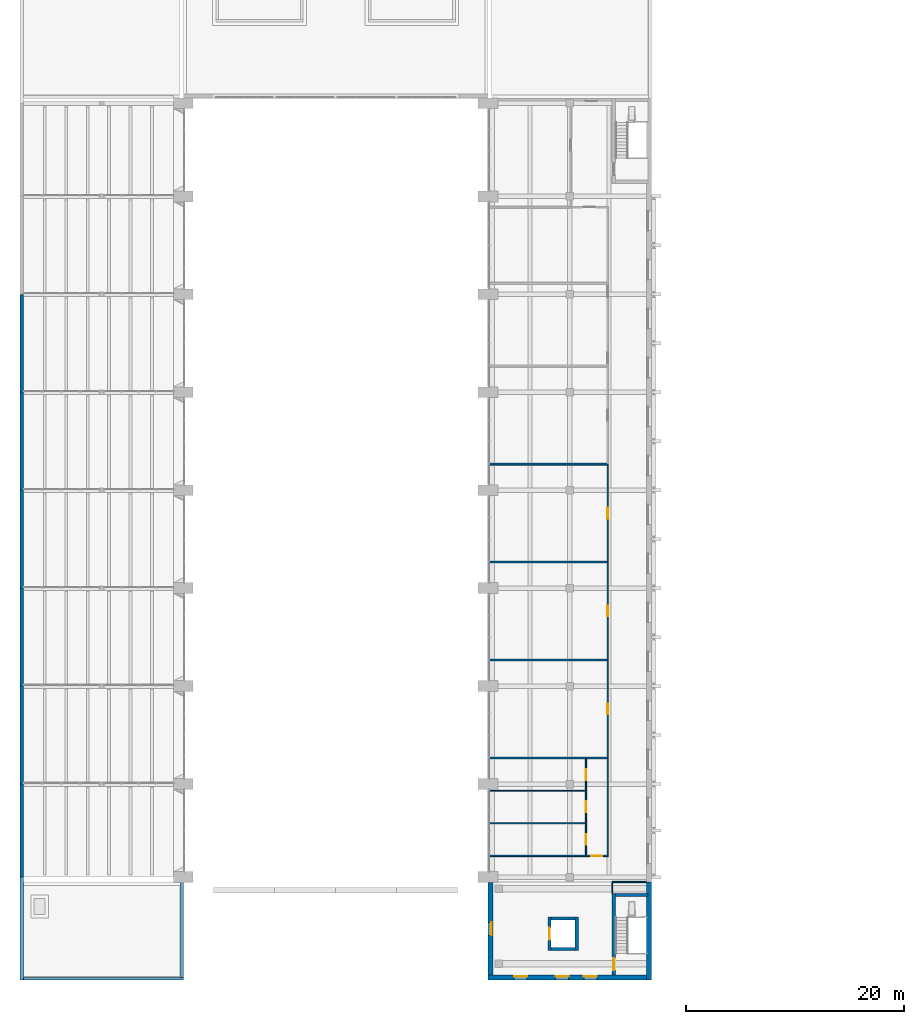
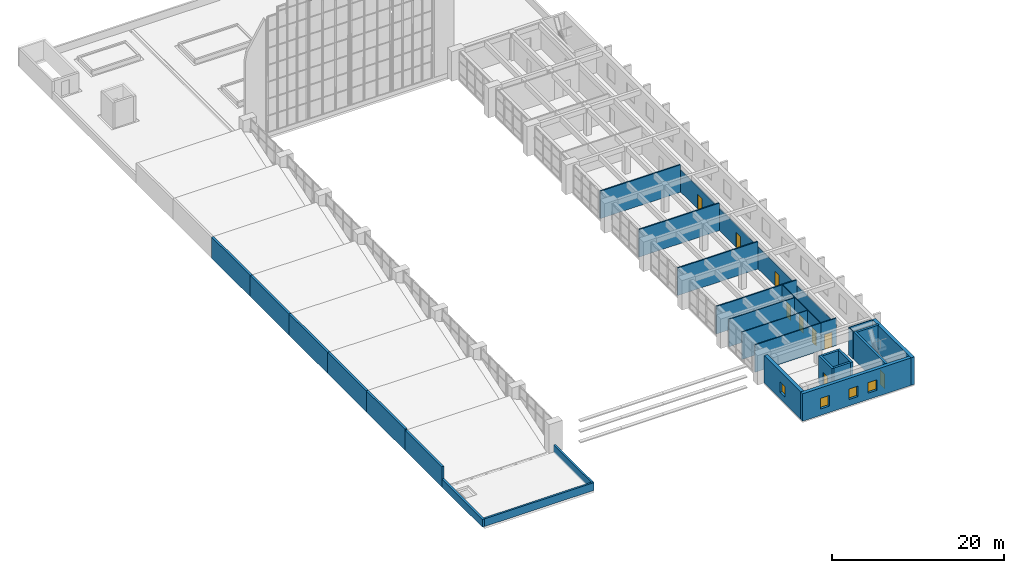
# One storey, part 31 of 43: 36 walls, 9 doors, 4 windows, 13 openings.
"""IFC4 building model written with IfcOpenShell, lengths in metres."""

from ifc_helpers import new_model, si_unit, direction, frame, frame_2d, origin, place, context, subcontext, project, spatial, rectangle, extrude, material, layer, layer_set, type_object, element, fill, save


model = new_model("IFC4")

# Units and contexts
model_context = context("Model", 3, precision=1e-05, world=origin(), true_north=direction((0.0, 1.0)))
body_context = subcontext(model_context, "Body", "Model", "MODEL_VIEW")
ifc_project = project(units=[si_unit("LENGTHUNIT", "METRE"), si_unit("AREAUNIT", "SQUARE_METRE"), si_unit("VOLUMEUNIT", "CUBIC_METRE"), si_unit("PLANEANGLEUNIT", "RADIAN"), si_unit("MASSUNIT", "GRAM", prefix="KILO")], contexts=[model_context])

# Site, building, storey
site_placement = place(None, origin())
site = spatial("IfcSite", under=ifc_project, at=site_placement, CompositionType="ELEMENT")
building_placement = place(site_placement, origin())
building = spatial("IfcBuilding", under=site, at=building_placement, Name="Elmora Arch Market Hall", CompositionType="ELEMENT")
storey_placement = place(building_placement, frame((0.0, 0.0, 10.199951171875)))
storey = spatial("IfcBuildingStorey", under=building, at=storey_placement, Name="L02", CompositionType="ELEMENT", Elevation=10.199951171875)

# Wall
ifc_material_1 = material(Name="Concrete C40/50", Category="concrete")
ifc_layer_1 = layer(ifc_material_1, 0.449951171875)
ifc_layer_set_1 = layer_set([ifc_layer_1], Name="Concrete C40/50")
wall_type_1 = type_object("IfcWallType", Name="Board-marked concrete wall 450", PredefinedType="SOLIDWALL", material=ifc_layer_set_1)
wall_1_placement = place(storey_placement, frame((57.77490234375, 27.0, 0.0), z_axis=(0.0, 0.0, 1.0), x_axis=(0.0, -1.0, 0.0)))
element("IfcWall", 1, at=wall_1_placement, inside=storey, type_object=wall_type_1, Name="Facade wall east SE L02", PredefinedType="SOLIDWALL", context=body_context, shape_type="SweptSolid", body=[
    extrude(rectangle(XDim=9.0, YDim=0.449951171875, at=frame_2d((4.5, 0.0))), origin(), (0.0, 0.0, 1.0), 3.900146484375),
])

# Wall, openings, windows
wall_2_placement = place(storey_placement, frame((57.550048828125, 18.22509765625, 0.0), z_axis=(0.0, 0.0, 1.0), x_axis=(-1.0, 0.0, 0.0)))
wall_2 = element("IfcWall", 2, at=wall_2_placement, inside=storey, type_object=wall_type_1, Name="Facade wall south SE L02", PredefinedType="SOLIDWALL", context=body_context, shape_type="SweptSolid", body=[
    extrude(rectangle(XDim=14.550048828125, YDim=0.449951171875, at=frame_2d((7.27490234375, 0.0))), origin(), (0.0, 0.0, 1.0), 3.900146484375),
])
opening_1_placement = place(wall_2_placement, frame((4.550048828125, 0.0, 0.89990234375)))
opening_1 = element("IfcOpeningElement", 3, at=opening_1_placement, cuts=wall_2, Name="Opening WC1", PredefinedType="OPENING", context=body_context, shape_type="SweptSolid", body=[
    extrude(rectangle(XDim=1.199951171875, YDim=1.5, at=frame_2d((0.60009765625, 0.75))), frame((0.0, 0.23486328125, 0.0), z_axis=(0.0, -1.0, 0.0), x_axis=(1.0, 0.0, 0.0)), (0.0, 0.0, 1.0), 0.469970703125),
])
opening_2_placement = place(wall_2_placement, frame((7.14990234375, 0.0, 0.89990234375)))
opening_2 = element("IfcOpeningElement", 4, at=opening_2_placement, cuts=wall_2, Name="Opening WC1", PredefinedType="OPENING", context=body_context, shape_type="SweptSolid", body=[
    extrude(rectangle(XDim=1.199951171875, YDim=1.5, at=frame_2d((0.60009765625, 0.75))), frame((0.0, 0.23486328125, 0.0), z_axis=(0.0, -1.0, 0.0), x_axis=(1.0, 0.0, 0.0)), (0.0, 0.0, 1.0), 0.469970703125),
])
opening_3_placement = place(wall_2_placement, frame((10.949951171875, 0.0, 0.89990234375)))
opening_3 = element("IfcOpeningElement", 5, at=opening_3_placement, cuts=wall_2, Name="Opening WC1", PredefinedType="OPENING", context=body_context, shape_type="SweptSolid", body=[
    extrude(rectangle(XDim=1.199951171875, YDim=1.5, at=frame_2d((0.60009765625, 0.75))), frame((0.0, 0.23486328125, 0.0), z_axis=(0.0, -1.0, 0.0), x_axis=(1.0, 0.0, 0.0)), (0.0, 0.0, 1.0), 0.469970703125),
])
ifc_material_2 = material(Name="Aluminium", Category="aluminium")
window_type = type_object("IfcWindowType", Name="Corner block window 1200x1500", PartitioningType="SINGLE_PANEL", PredefinedType="WINDOW", material=ifc_material_2)
window_1_placement = place(opening_1_placement, origin())
window_1 = element("IfcWindow", 6, at=window_1_placement, inside=storey, type_object=window_type, Name="Window WC1 L02 S53", OverallHeight=1.5, OverallWidth=1.199951171875, PartitioningType="SINGLE_PANEL", PredefinedType="WINDOW", context=body_context, shape_type="SweptSolid", body=[
    extrude(rectangle(XDim=1.199951171875, YDim=1.5, at=frame_2d((0.60009765625, 0.75))), frame((0.0, -0.074951171875, 0.0), z_axis=(0.0, -1.0, 0.0), x_axis=(1.0, 0.0, 0.0)), (0.0, 0.0, 1.0), 0.06005859375),
])
fill(opening_1, window_1)
window_2_placement = place(opening_2_placement, origin())
window_2 = element("IfcWindow", 7, at=window_2_placement, inside=storey, type_object=window_type, Name="Window WC1 L02 S54", OverallHeight=1.5, OverallWidth=1.199951171875, PartitioningType="SINGLE_PANEL", PredefinedType="WINDOW", context=body_context, shape_type="SweptSolid", body=[
    extrude(rectangle(XDim=1.199951171875, YDim=1.5, at=frame_2d((0.60009765625, 0.75))), frame((0.0, -0.074951171875, 0.0), z_axis=(0.0, -1.0, 0.0), x_axis=(1.0, 0.0, 0.0)), (0.0, 0.0, 1.0), 0.06005859375),
])
fill(opening_2, window_2)
window_3_placement = place(opening_3_placement, origin())
window_3 = element("IfcWindow", 8, at=window_3_placement, inside=storey, type_object=window_type, Name="Window WC1 L02 S55", OverallHeight=1.5, OverallWidth=1.199951171875, PartitioningType="SINGLE_PANEL", PredefinedType="WINDOW", context=body_context, shape_type="SweptSolid", body=[
    extrude(rectangle(XDim=1.199951171875, YDim=1.5, at=frame_2d((0.60009765625, 0.75))), frame((0.0, -0.074951171875, 0.0), z_axis=(0.0, -1.0, 0.0), x_axis=(1.0, 0.0, 0.0)), (0.0, 0.0, 1.0), 0.06005859375),
])
fill(opening_3, window_3)

# Wall, opening, window
wall_3_placement = place(storey_placement, frame((43.22509765625, 18.449951171875, 0.0), z_axis=(0.0, 0.0, 1.0), x_axis=(0.0, 1.0, 0.0)))
wall_3 = element("IfcWall", 9, at=wall_3_placement, inside=storey, type_object=wall_type_1, Name="Facade wall SE W face L02", PredefinedType="SOLIDWALL", context=body_context, shape_type="SweptSolid", body=[
    extrude(rectangle(XDim=8.5, YDim=0.449951171875, at=frame_2d((4.25, 0.0))), origin(), (0.0, 0.0, 1.0), 3.900146484375),
])
opening_4_placement = place(wall_3_placement, frame((3.64990234375, 0.0, 0.89990234375)))
opening_4 = element("IfcOpeningElement", 10, at=opening_4_placement, cuts=wall_3, Name="Opening WC1", PredefinedType="OPENING", context=body_context, shape_type="SweptSolid", body=[
    extrude(rectangle(XDim=1.199951171875, YDim=1.5, at=frame_2d((0.60009765625, 0.75))), frame((0.0, 0.23486328125, 0.0), z_axis=(0.0, -1.0, 0.0), x_axis=(1.0, 0.0, 0.0)), (0.0, 0.0, 1.0), 0.469970703125),
])
window_4_placement = place(opening_4_placement, origin())
window_4 = element("IfcWindow", 11, at=window_4_placement, inside=storey, type_object=window_type, Name="Window WC1 L02 W56", OverallHeight=1.5, OverallWidth=1.199951171875, PartitioningType="SINGLE_PANEL", PredefinedType="WINDOW", context=body_context, shape_type="SweptSolid", body=[
    extrude(rectangle(XDim=1.199951171875, YDim=1.5, at=frame_2d((0.60009765625, 0.75))), frame((0.0, -0.074951171875, 0.0), z_axis=(0.0, -1.0, 0.0), x_axis=(1.0, 0.0, 0.0)), (0.0, 0.0, 1.0), 0.06005859375),
])
fill(opening_4, window_4)

# Walls
ifc_material_3 = material(Name="Concrete C40/50", Category="concrete")
ifc_layer_2 = layer(ifc_material_3, 0.25)
ifc_layer_set_2 = layer_set([ifc_layer_2], Name="Concrete C40/50")
wall_type_2 = type_object("IfcWallType", Name="Concrete parapet 250", PredefinedType="PARAPET", material=ifc_layer_set_2)
wall_4_placement = place(storey_placement, frame((15.0, 18.125, 0.0), z_axis=(0.0, 0.0, 1.0), x_axis=(-1.0, 0.0, 0.0)))
element("IfcWall", 12, at=wall_4_placement, inside=storey, type_object=wall_type_2, Name="Planted roof parapet south W", PredefinedType="PARAPET", context=body_context, shape_type="SweptSolid", body=[
    extrude(rectangle(XDim=14.699951171875, YDim=0.25, at=frame_2d((7.35009765625, 0.0))), origin(), (0.0, 0.0, 1.0), 1.10009765625),
])
wall_5_placement = place(storey_placement, frame((14.875, 27.0, 0.0), z_axis=(0.0, 0.0, 1.0), x_axis=(0.0, -1.0, 0.0)))
element("IfcWall", 13, at=wall_5_placement, inside=storey, type_object=wall_type_2, Name="Planted roof parapet east W", PredefinedType="PARAPET", context=body_context, shape_type="SweptSolid", body=[
    extrude(rectangle(XDim=8.75, YDim=0.25, at=frame_2d((4.375, 0.0))), origin(), (0.0, 0.0, 1.0), 1.10009765625),
])
ifc_material_4 = material(Name="Concrete C40/50", Category="concrete")
ifc_layer_3 = layer(ifc_material_4, 0.300048828125)
ifc_layer_set_3 = layer_set([ifc_layer_3], Name="Concrete C40/50")
wall_type_3 = type_object("IfcWallType", Name="Concrete parapet 300", PredefinedType="PARAPET", material=ifc_layer_set_3)
wall_6_placement = place(storey_placement, frame((0.14990234375, 18.0, 0.0), z_axis=(0.0, 0.0, 1.0), x_axis=(0.0, 1.0, 0.0)))
element("IfcWall", 14, at=wall_6_placement, inside=storey, type_object=wall_type_3, Name="Party wall parapet SW", PredefinedType="PARAPET", context=body_context, shape_type="SweptSolid", body=[
    extrude(rectangle(XDim=9.449951171875, YDim=0.300048828125, at=frame_2d((4.72509765625, 0.0))), origin(), (0.0, 0.0, 1.0), 1.10009765625),
])

# Wall, opening, door
ifc_material_5 = material(Name="Concrete C40/50", Category="concrete")
ifc_layer_4 = layer(ifc_material_5, 0.300048828125)
ifc_layer_set_4 = layer_set([ifc_layer_4], Name="Concrete C40/50")
wall_type_4 = type_object("IfcWallType", Name="Lift shaft wall 300", PredefinedType="SHEAR", material=ifc_layer_set_4)
wall_7_placement = place(storey_placement, frame((48.64990234375, 20.699951171875, 0.0), z_axis=(0.0, 0.0, 1.0), x_axis=(0.0, 1.0, 0.0)))
wall_7 = element("IfcWall", 15, at=wall_7_placement, inside=storey, type_object=wall_type_4, Name="Lift shaft wall WL2 W L02", PredefinedType="SHEAR", context=body_context, shape_type="SweptSolid", body=[
    extrude(rectangle(XDim=3.10009765625, YDim=0.300048828125, at=frame_2d((1.550048828125, 0.0))), origin(), (0.0, 0.0, 1.0), 3.900146484375),
])
opening_5_placement = place(wall_7_placement, frame((1.0, 0.0, 0.0)))
opening_5 = element("IfcOpeningElement", 16, at=opening_5_placement, cuts=wall_7, Name="Opening LD-WL2-L02", PredefinedType="OPENING", context=body_context, shape_type="SweptSolid", body=[
    extrude(rectangle(XDim=1.10009765625, YDim=2.10009765625, at=frame_2d((0.550048828125, 1.050048828125))), frame((0.0, 0.159912109375, 0.0), z_axis=(0.0, -1.0, 0.0), x_axis=(1.0, 0.0, 0.0)), (0.0, 0.0, 1.0), 0.320068359375),
])
ifc_material_6 = material(Name="Stainless steel ASTM A240 Type 304", Category="steel")
door_type_1 = type_object("IfcDoorType", Name="Lift landing door 1100 x 2100 FD90", OperationType="SLIDING_TO_LEFT", PredefinedType="DOOR", material=ifc_material_6)
door_1_placement = place(opening_5_placement, origin())
door_1 = element("IfcDoor", 17, at=door_1_placement, inside=storey, type_object=door_type_1, Name="Landing door WL2 L02", OperationType="SLIDING_TO_LEFT", OverallHeight=2.10009765625, OverallWidth=1.10009765625, PredefinedType="DOOR", context=body_context, shape_type="SweptSolid", body=[
    extrude(rectangle(XDim=1.10009765625, YDim=2.10009765625, at=frame_2d((0.550048828125, 1.050048828125))), frame((0.0, 0.02490234375, 0.0), z_axis=(0.0, -1.0, 0.0), x_axis=(1.0, 0.0, 0.0)), (0.0, 0.0, 1.0), 0.050048828125),
])
fill(opening_5, door_1)

# Walls
wall_8_placement = place(storey_placement, frame((51.14990234375, 20.699951171875, 0.0), z_axis=(0.0, 0.0, 1.0), x_axis=(0.0, 1.0, 0.0)))
element("IfcWall", 18, at=wall_8_placement, inside=storey, type_object=wall_type_4, Name="Lift shaft wall WL2 E L02", PredefinedType="SHEAR", context=body_context, shape_type="SweptSolid", body=[
    extrude(rectangle(XDim=3.10009765625, YDim=0.300048828125, at=frame_2d((1.550048828125, 0.0))), origin(), (0.0, 0.0, 1.0), 3.900146484375),
])
for number, where, z_axis, x_axis, name in (
    (19, (48.800048828125, 20.85009765625, 0.0), (0.0, 0.0, 1.0), (1.0, 0.0, 0.0), "Lift shaft wall WL2 S L02"),
    (20, (48.800048828125, 23.64990234375, 0.0), (0.0, 0.0, 1.0), (1.0, 0.0, 0.0), "Lift shaft wall WL2 N L02"),
):
    element("IfcWall", number, at=place(storey_placement, frame(where, z_axis=z_axis, x_axis=x_axis)), inside=storey, type_object=wall_type_4, Name=name, PredefinedType="SHEAR", context=body_context, shape_type="SweptSolid", body=[
        extrude(rectangle(XDim=2.199951171875, YDim=0.300048828125, at=frame_2d((1.10009765625, 0.0))), origin(), (0.0, 0.0, 1.0), 3.900146484375),
    ])
ifc_material_7 = material(Name="Gypsum board on metal studs")
ifc_layer_5 = layer(ifc_material_7, 0.10009765625)
ifc_layer_set_5 = layer_set([ifc_layer_5], Name="Gypsum board on metal studs")
wall_type_5 = type_object("IfcWallType", Name="Partition 100", PredefinedType="PARTITIONING", material=ifc_layer_set_5)
wall_9_placement = place(storey_placement, frame((54.409912109375, 27.0, 0.0), z_axis=(0.0, 0.0, 1.0), x_axis=(1.0, 0.0, 0.0)))
element("IfcWall", 21, at=wall_9_placement, inside=storey, type_object=wall_type_5, Name="Partition PT-L02-001", PredefinedType="PARTITIONING", context=body_context, shape_type="SweptSolid", body=[
    extrude(rectangle(XDim=3.14013671875, YDim=0.10009765625, at=frame_2d((1.570068359375, 0.0))), origin(), (0.0, 0.0, 1.0), 3.900146484375),
])
for number, where, z_axis, x_axis, name in (
    (22, (43.14990234375, 32.39990234375, 0.0), (0.0, 0.0, 1.0), (1.0, 0.0, 0.0), "Partition PT-L02-004"),
    (23, (43.14990234375, 35.39990234375, 0.0), (0.0, 0.0, 1.0), (1.0, 0.0, 0.0), "Partition PT-L02-005"),
):
    element("IfcWall", number, at=place(storey_placement, frame(where, z_axis=z_axis, x_axis=x_axis)), inside=storey, type_object=wall_type_5, Name=name, PredefinedType="PARTITIONING", context=body_context, shape_type="SweptSolid", body=[
        extrude(rectangle(XDim=8.800048828125, YDim=0.10009765625, at=frame_2d((4.39990234375, 0.0))), origin(), (0.0, 0.0, 1.0), 3.900146484375),
    ])

# Wall, opening, door
wall_10_placement = place(storey_placement, frame((52.0, 29.46240234375, 0.0), z_axis=(0.0, 0.0, 1.0), x_axis=(0.0, 1.0, 0.0)))
wall_10 = element("IfcWall", 24, at=wall_10_placement, inside=storey, type_object=wall_type_5, Name="Partition PT-L02-032", PredefinedType="PARTITIONING", context=body_context, shape_type="SweptSolid", body=[
    extrude(rectangle(XDim=2.9375, YDim=0.10009765625, at=frame_2d((1.46875, 0.0))), origin(), (0.0, 0.0, 1.0), 3.900146484375),
])
opening_6_placement = place(wall_10_placement, frame((0.949951171875, 0.0, 0.0)))
opening_6 = element("IfcOpeningElement", 25, at=opening_6_placement, cuts=wall_10, Name="Opening D-L02-002", PredefinedType="OPENING", context=body_context, shape_type="SweptSolid", body=[
    extrude(rectangle(XDim=1.0, YDim=2.10009765625, at=frame_2d((0.5, 1.050048828125))), frame((0.0, 0.06005859375, 0.0), z_axis=(0.0, -1.0, 0.0), x_axis=(1.0, 0.0, 0.0)), (0.0, 0.0, 1.0), 0.1201171875),
])
ifc_material_8 = material(Name="Timber door set", Category="wood")
door_type_2 = type_object("IfcDoorType", Name="Door 1000 x 2100", OperationType="SINGLE_SWING_LEFT", PredefinedType="DOOR", material=ifc_material_8)
door_2_placement = place(opening_6_placement, origin())
door_2 = element("IfcDoor", 26, at=door_2_placement, inside=storey, type_object=door_type_2, Name="D-L02-002", OperationType="SINGLE_SWING_RIGHT", OverallHeight=2.10009765625, OverallWidth=1.0, PredefinedType="DOOR", context=body_context, shape_type="SweptSolid", body=[
    extrude(rectangle(XDim=1.0, YDim=2.10009765625, at=frame_2d((0.5, 1.050048828125))), frame((0.0, 0.02490234375, 0.0), z_axis=(0.0, -1.0, 0.0), x_axis=(1.0, 0.0, 0.0)), (0.0, 0.0, 1.0), 0.050048828125),
])
fill(opening_6, door_2)

wall_11_placement = place(storey_placement, frame((52.0, 32.39990234375, 0.0), z_axis=(0.0, 0.0, 1.0), x_axis=(0.0, 1.0, 0.0)))
wall_11 = element("IfcWall", 27, at=wall_11_placement, inside=storey, type_object=wall_type_5, Name="Partition PT-L02-033", PredefinedType="PARTITIONING", context=body_context, shape_type="SweptSolid", body=[
    extrude(rectangle(XDim=3.0, YDim=0.10009765625, at=frame_2d((1.5, 0.0))), origin(), (0.0, 0.0, 1.0), 3.900146484375),
])
opening_7_placement = place(wall_11_placement, frame((1.0, 0.0, 0.0)))
opening_7 = element("IfcOpeningElement", 28, at=opening_7_placement, cuts=wall_11, Name="Opening D-L02-003", PredefinedType="OPENING", context=body_context, shape_type="SweptSolid", body=[
    extrude(rectangle(XDim=1.0, YDim=2.10009765625, at=frame_2d((0.5, 1.050048828125))), frame((0.0, 0.06005859375, 0.0), z_axis=(0.0, -1.0, 0.0), x_axis=(1.0, 0.0, 0.0)), (0.0, 0.0, 1.0), 0.1201171875),
])
door_3_placement = place(opening_7_placement, origin())
door_3 = element("IfcDoor", 29, at=door_3_placement, inside=storey, type_object=door_type_2, Name="D-L02-003", OperationType="SINGLE_SWING_LEFT", OverallHeight=2.10009765625, OverallWidth=1.0, PredefinedType="DOOR", context=body_context, shape_type="SweptSolid", body=[
    extrude(rectangle(XDim=1.0, YDim=2.10009765625, at=frame_2d((0.5, 1.050048828125))), frame((0.0, 0.02490234375, 0.0), z_axis=(0.0, -1.0, 0.0), x_axis=(1.0, 0.0, 0.0)), (0.0, 0.0, 1.0), 0.050048828125),
])
fill(opening_7, door_3)

wall_12_placement = place(storey_placement, frame((52.0, 35.39990234375, 0.0), z_axis=(0.0, 0.0, 1.0), x_axis=(0.0, 1.0, 0.0)))
wall_12 = element("IfcWall", 30, at=wall_12_placement, inside=storey, type_object=wall_type_5, Name="Partition PT-L02-034", PredefinedType="PARTITIONING", context=body_context, shape_type="SweptSolid", body=[
    extrude(rectangle(XDim=2.91259765625, YDim=0.10009765625, at=frame_2d((1.456298828125, 0.0))), origin(), (0.0, 0.0, 1.0), 3.900146484375),
])
opening_8_placement = place(wall_12_placement, frame((0.949951171875, 0.0, 0.0)))
opening_8 = element("IfcOpeningElement", 31, at=opening_8_placement, cuts=wall_12, Name="Opening D-L02-004", PredefinedType="OPENING", context=body_context, shape_type="SweptSolid", body=[
    extrude(rectangle(XDim=1.0, YDim=2.10009765625, at=frame_2d((0.5, 1.050048828125))), frame((0.0, 0.06005859375, 0.0), z_axis=(0.0, -1.0, 0.0), x_axis=(1.0, 0.0, 0.0)), (0.0, 0.0, 1.0), 0.1201171875),
])
door_4_placement = place(opening_8_placement, origin())
door_4 = element("IfcDoor", 32, at=door_4_placement, inside=storey, type_object=door_type_2, Name="D-L02-004", OperationType="SINGLE_SWING_LEFT", OverallHeight=2.10009765625, OverallWidth=1.0, PredefinedType="DOOR", context=body_context, shape_type="SweptSolid", body=[
    extrude(rectangle(XDim=1.0, YDim=2.10009765625, at=frame_2d((0.5, 1.050048828125))), frame((0.0, 0.02490234375, 0.0), z_axis=(0.0, -1.0, 0.0), x_axis=(1.0, 0.0, 0.0)), (0.0, 0.0, 1.0), 0.050048828125),
])
fill(opening_8, door_4)

# Walls
wall_13_placement = place(storey_placement, frame((54.39990234375, 25.949951171875, 0.0), z_axis=(0.0, 0.0, 1.0), x_axis=(0.0, 1.0, 0.0)))
element("IfcWall", 33, at=wall_13_placement, inside=storey, type_object=wall_type_5, Name="Partition PT-L02-042", PredefinedType="PARTITIONING", context=body_context, shape_type="SweptSolid", body=[
    extrude(rectangle(XDim=1.0400390625, YDim=0.10009765625, at=frame_2d((0.52001953125, 0.0))), origin(), (0.0, 0.0, 1.0), 3.900146484375),
])
ifc_material_9 = material(Name="Gypsum board on metal studs")
ifc_layer_6 = layer(ifc_material_9, 0.125)
ifc_layer_set_6 = layer_set([ifc_layer_6], Name="Gypsum board on metal studs")
wall_type_6 = type_object("IfcWallType", Name="Partition 125 EI 60", PredefinedType="PARTITIONING", material=ifc_layer_set_6)
wall_14_placement = place(storey_placement, frame((43.14990234375, 29.39990234375, 0.0), z_axis=(0.0, 0.0, 1.0), x_axis=(1.0, 0.0, 0.0)))
element("IfcWall", 34, at=wall_14_placement, inside=storey, type_object=wall_type_6, Name="Partition PT-L02-002", PredefinedType="PARTITIONING", context=body_context, shape_type="SweptSolid", body=[
    extrude(rectangle(XDim=8.85009765625, YDim=0.125, at=frame_2d((4.425048828125, 0.0))), origin(), (0.0, 0.0, 1.0), 3.900146484375),
])

# Wall, opening, door
wall_15_placement = place(storey_placement, frame((52.0, 29.39990234375, 0.0), z_axis=(0.0, 0.0, 1.0), x_axis=(1.0, 0.0, 0.0)))
wall_15 = element("IfcWall", 35, at=wall_15_placement, inside=storey, type_object=wall_type_6, Name="Partition PT-L02-003", PredefinedType="PARTITIONING", context=body_context, shape_type="SweptSolid", body=[
    extrude(rectangle(XDim=2.0625, YDim=0.125, at=frame_2d((1.03125, 0.0))), origin(), (0.0, 0.0, 1.0), 3.900146484375),
])
opening_9_placement = place(wall_15_placement, frame((0.5, 0.0, 0.0)))
opening_9 = element("IfcOpeningElement", 36, at=opening_9_placement, cuts=wall_15, Name="Opening D-L02-001", PredefinedType="OPENING", context=body_context, shape_type="SweptSolid", body=[
    extrude(rectangle(XDim=1.0, YDim=2.10009765625, at=frame_2d((0.5, 1.050048828125))), frame((0.0, 0.072509765625, 0.0), z_axis=(0.0, -1.0, 0.0), x_axis=(1.0, 0.0, 0.0)), (0.0, 0.0, 1.0), 0.14501953125),
])
ifc_material_10 = material(Name="Steel ASTM A653 galvanised", Category="steel")
door_type_3 = type_object("IfcDoorType", Name="Door 1000 x 2100 FD20", OperationType="SINGLE_SWING_LEFT", PredefinedType="DOOR", material=ifc_material_10)
door_5_placement = place(opening_9_placement, origin())
door_5 = element("IfcDoor", 37, at=door_5_placement, inside=storey, type_object=door_type_3, Name="D-L02-001", OperationType="SINGLE_SWING_RIGHT", OverallHeight=2.10009765625, OverallWidth=1.0, PredefinedType="DOOR", context=body_context, shape_type="SweptSolid", body=[
    extrude(rectangle(XDim=1.0, YDim=2.10009765625, at=frame_2d((0.5, 1.050048828125))), frame((0.0, 0.02490234375, 0.0), z_axis=(0.0, -1.0, 0.0), x_axis=(1.0, 0.0, 0.0)), (0.0, 0.0, 1.0), 0.050048828125),
])
fill(opening_9, door_5)

# Wall
wall_16_placement = place(storey_placement, frame((54.0, 29.46240234375, 0.0), z_axis=(0.0, 0.0, 1.0), x_axis=(0.0, 1.0, 0.0)))
element("IfcWall", 38, at=wall_16_placement, inside=storey, type_object=wall_type_6, Name="Partition PT-L02-035", PredefinedType="PARTITIONING", context=body_context, shape_type="SweptSolid", body=[
    extrude(rectangle(XDim=8.9375, YDim=0.125, at=frame_2d((4.46875, 0.0))), origin(), (0.0, 0.0, 1.0), 3.150146484375),
])

# Wall, opening, door
wall_17_placement = place(storey_placement, frame((54.0, 38.39990234375, 0.0), z_axis=(0.0, 0.0, 1.0), x_axis=(0.0, 1.0, 0.0)))
wall_17 = element("IfcWall", 39, at=wall_17_placement, inside=storey, type_object=wall_type_6, Name="Partition PT-L02-036", PredefinedType="PARTITIONING", context=body_context, shape_type="SweptSolid", body=[
    extrude(rectangle(XDim=9.0, YDim=0.125, at=frame_2d((4.5, 0.0))), origin(), (0.0, 0.0, 1.0), 3.150146484375),
])
opening_10_placement = place(wall_17_placement, frame((4.0, 0.0, 0.0)))
opening_10 = element("IfcOpeningElement", 40, at=opening_10_placement, cuts=wall_17, Name="Opening D-L02-005", PredefinedType="OPENING", context=body_context, shape_type="SweptSolid", body=[
    extrude(rectangle(XDim=1.0, YDim=2.10009765625, at=frame_2d((0.5, 1.050048828125))), frame((0.0, 0.072509765625, 0.0), z_axis=(0.0, -1.0, 0.0), x_axis=(1.0, 0.0, 0.0)), (0.0, 0.0, 1.0), 0.14501953125),
])
ifc_material_11 = material(Name="Steel ASTM A653 galvanised", Category="steel")
door_type_4 = type_object("IfcDoorType", Name="Door 1000 x 2100 FD45", OperationType="SINGLE_SWING_LEFT", PredefinedType="DOOR", material=ifc_material_11)
door_6_placement = place(opening_10_placement, origin())
door_6 = element("IfcDoor", 41, at=door_6_placement, inside=storey, type_object=door_type_4, Name="D-L02-005", OperationType="SINGLE_SWING_LEFT", OverallHeight=2.10009765625, OverallWidth=1.0, PredefinedType="DOOR", context=body_context, shape_type="SweptSolid", body=[
    extrude(rectangle(XDim=1.0, YDim=2.10009765625, at=frame_2d((0.5, 1.050048828125))), frame((0.0, 0.02490234375, 0.0), z_axis=(0.0, -1.0, 0.0), x_axis=(1.0, 0.0, 0.0)), (0.0, 0.0, 1.0), 0.050048828125),
])
fill(opening_10, door_6)

wall_18_placement = place(storey_placement, frame((54.0, 47.39990234375, 0.0), z_axis=(0.0, 0.0, 1.0), x_axis=(0.0, 1.0, 0.0)))
wall_18 = element("IfcWall", 42, at=wall_18_placement, inside=storey, type_object=wall_type_6, Name="Partition PT-L02-037", PredefinedType="PARTITIONING", context=body_context, shape_type="SweptSolid", body=[
    extrude(rectangle(XDim=9.0, YDim=0.125, at=frame_2d((4.5, 0.0))), origin(), (0.0, 0.0, 1.0), 3.150146484375),
])
opening_11_placement = place(wall_18_placement, frame((4.0, 0.0, 0.0)))
opening_11 = element("IfcOpeningElement", 43, at=opening_11_placement, cuts=wall_18, Name="Opening D-L02-006", PredefinedType="OPENING", context=body_context, shape_type="SweptSolid", body=[
    extrude(rectangle(XDim=1.0, YDim=2.10009765625, at=frame_2d((0.5, 1.050048828125))), frame((0.0, 0.072509765625, 0.0), z_axis=(0.0, -1.0, 0.0), x_axis=(1.0, 0.0, 0.0)), (0.0, 0.0, 1.0), 0.14501953125),
])
door_7_placement = place(opening_11_placement, origin())
door_7 = element("IfcDoor", 44, at=door_7_placement, inside=storey, type_object=door_type_4, Name="D-L02-006", OperationType="SINGLE_SWING_LEFT", OverallHeight=2.10009765625, OverallWidth=1.0, PredefinedType="DOOR", context=body_context, shape_type="SweptSolid", body=[
    extrude(rectangle(XDim=1.0, YDim=2.10009765625, at=frame_2d((0.5, 1.050048828125))), frame((0.0, 0.02490234375, 0.0), z_axis=(0.0, -1.0, 0.0), x_axis=(1.0, 0.0, 0.0)), (0.0, 0.0, 1.0), 0.050048828125),
])
fill(opening_11, door_7)

wall_19_placement = place(storey_placement, frame((54.0, 56.39990234375, 0.0), z_axis=(0.0, 0.0, 1.0), x_axis=(0.0, 1.0, 0.0)))
wall_19 = element("IfcWall", 45, at=wall_19_placement, inside=storey, type_object=wall_type_6, Name="Partition PT-L02-038", PredefinedType="PARTITIONING", context=body_context, shape_type="SweptSolid", body=[
    extrude(rectangle(XDim=9.0, YDim=0.125, at=frame_2d((4.5, 0.0))), origin(), (0.0, 0.0, 1.0), 3.150146484375),
])
opening_12_placement = place(wall_19_placement, frame((4.0, 0.0, 0.0)))
opening_12 = element("IfcOpeningElement", 46, at=opening_12_placement, cuts=wall_19, Name="Opening D-L02-007", PredefinedType="OPENING", context=body_context, shape_type="SweptSolid", body=[
    extrude(rectangle(XDim=1.0, YDim=2.10009765625, at=frame_2d((0.5, 1.050048828125))), frame((0.0, 0.072509765625, 0.0), z_axis=(0.0, -1.0, 0.0), x_axis=(1.0, 0.0, 0.0)), (0.0, 0.0, 1.0), 0.14501953125),
])
door_8_placement = place(opening_12_placement, origin())
door_8 = element("IfcDoor", 47, at=door_8_placement, inside=storey, type_object=door_type_4, Name="D-L02-007", OperationType="SINGLE_SWING_LEFT", OverallHeight=2.10009765625, OverallWidth=1.0, PredefinedType="DOOR", context=body_context, shape_type="SweptSolid", body=[
    extrude(rectangle(XDim=1.0, YDim=2.10009765625, at=frame_2d((0.5, 1.050048828125))), frame((0.0, 0.02490234375, 0.0), z_axis=(0.0, -1.0, 0.0), x_axis=(1.0, 0.0, 0.0)), (0.0, 0.0, 1.0), 0.050048828125),
])
fill(opening_12, door_8)

# Walls
ifc_material_12 = material(Name="Gypsum board on metal studs")
ifc_layer_7 = layer(ifc_material_12, 0.175048828125)
ifc_layer_set_7 = layer_set([ifc_layer_7], Name="Gypsum board on metal studs")
wall_type_7 = type_object("IfcWallType", Name="Partition 175 EI 60", PredefinedType="PARTITIONING", material=ifc_layer_set_7)
wall_20_placement = place(storey_placement, frame((43.14990234375, 38.39990234375, 0.0), z_axis=(0.0, 0.0, 1.0), x_axis=(1.0, 0.0, 0.0)))
element("IfcWall", 48, at=wall_20_placement, inside=storey, type_object=wall_type_7, Name="Partition PT-L02-006", PredefinedType="PARTITIONING", context=body_context, shape_type="SweptSolid", body=[
    extrude(rectangle(XDim=8.85009765625, YDim=0.175048828125, at=frame_2d((4.425048828125, 0.0))), origin(), (0.0, 0.0, 1.0), 3.900146484375),
])
wall_21_placement = place(storey_placement, frame((52.0, 38.39990234375, 0.0), z_axis=(0.0, 0.0, 1.0), x_axis=(1.0, 0.0, 0.0)))
element("IfcWall", 49, at=wall_21_placement, inside=storey, type_object=wall_type_7, Name="Partition PT-L02-007", PredefinedType="PARTITIONING", context=body_context, shape_type="SweptSolid", body=[
    extrude(rectangle(XDim=1.9375, YDim=0.175048828125, at=frame_2d((0.96875, 0.0))), origin(), (0.0, 0.0, 1.0), 3.900146484375),
])
for number, where, z_axis, x_axis, name in (
    (50, (43.14990234375, 47.39990234375, 0.0), (0.0, 0.0, 1.0), (1.0, 0.0, 0.0), "Partition PT-L02-008"),
    (51, (43.14990234375, 56.39990234375, 0.0), (0.0, 0.0, 1.0), (1.0, 0.0, 0.0), "Partition PT-L02-009"),
    (52, (43.14990234375, 65.39990234375, 0.0), (0.0, 0.0, 1.0), (1.0, 0.0, 0.0), "Partition PT-L02-010"),
):
    element("IfcWall", number, at=place(storey_placement, frame(where, z_axis=z_axis, x_axis=x_axis)), inside=storey, type_object=wall_type_7, Name=name, PredefinedType="PARTITIONING", context=body_context, shape_type="SweptSolid", body=[
        extrude(rectangle(XDim=10.78759765625, YDim=0.175048828125, at=frame_2d((5.393798828125, 0.0))), origin(), (0.0, 0.0, 1.0), 3.900146484375),
    ])
ifc_material_13 = material(Name="Concrete C40/50", Category="concrete")
ifc_layer_8 = layer(ifc_material_13, 0.300048828125)
ifc_layer_set_8 = layer_set([ifc_layer_8], Name="Concrete C40/50")
wall_type_8 = type_object("IfcWallType", Name="Party wall 300", PredefinedType="SHEAR", material=ifc_layer_set_8)
wall_22_placement = place(storey_placement, frame((0.14990234375, 27.449951171875, 0.0), z_axis=(0.0, 0.0, 1.0), x_axis=(0.0, 1.0, 0.0)))
element("IfcWall", 53, at=wall_22_placement, inside=storey, type_object=wall_type_8, Name="Party wall W L02 tooth 1", PredefinedType="SHEAR", context=body_context, shape_type="SweptSolid", body=[
    extrude(rectangle(XDim=8.550048828125, YDim=0.300048828125, at=frame_2d((4.27490234375, 0.0))), origin(), (0.0, 0.0, 1.0), 2.85009765625),
])
for number, where, z_axis, x_axis, name in (
    (54, (0.14990234375, 36.0, 0.0), (0.0, 0.0, 1.0), (0.0, 1.0, 0.0), "Party wall W L02 tooth 2"),
    (55, (0.14990234375, 45.0, 0.0), (0.0, 0.0, 1.0), (0.0, 1.0, 0.0), "Party wall W L02 tooth 3"),
    (56, (0.14990234375, 54.0, 0.0), (0.0, 0.0, 1.0), (0.0, 1.0, 0.0), "Party wall W L02 tooth 4"),
    (57, (0.14990234375, 63.0, 0.0), (0.0, 0.0, 1.0), (0.0, 1.0, 0.0), "Party wall W L02 tooth 5"),
    (58, (0.14990234375, 72.0, 0.0), (0.0, 0.0, 1.0), (0.0, 1.0, 0.0), "Party wall W L02 tooth 6"),
):
    element("IfcWall", number, at=place(storey_placement, frame(where, z_axis=z_axis, x_axis=x_axis)), inside=storey, type_object=wall_type_8, Name=name, PredefinedType="SHEAR", context=body_context, shape_type="SweptSolid", body=[
        extrude(rectangle(XDim=9.0, YDim=0.300048828125, at=frame_2d((4.5, 0.0))), origin(), (0.0, 0.0, 1.0), 3.0),
    ])
ifc_material_14 = material(Name="Concrete C40/50", Category="concrete")
ifc_layer_9 = layer(ifc_material_14, 0.300048828125)
ifc_layer_set_9 = layer_set([ifc_layer_9], Name="Concrete C40/50")
wall_type_9 = type_object("IfcWallType", Name="Stair wall 300", PredefinedType="SHEAR", material=ifc_layer_set_9)
wall_23_placement = place(storey_placement, frame((54.699951171875, 25.800048828125, 0.0), z_axis=(0.0, 0.0, 1.0), x_axis=(1.0, 0.0, 0.0)))
element("IfcWall", 59, at=wall_23_placement, inside=storey, type_object=wall_type_9, Name="Stair wall ST-ES N L02", PredefinedType="SHEAR", context=body_context, shape_type="SweptSolid", body=[
    extrude(rectangle(XDim=3.0, YDim=0.300048828125, at=frame_2d((1.5, 0.0))), origin(), (0.0, 0.0, 1.0), 3.900146484375),
])

# Wall, opening, door
wall_24_placement = place(storey_placement, frame((54.550048828125, 18.449951171875, 0.0), z_axis=(0.0, 0.0, 1.0), x_axis=(0.0, 1.0, 0.0)))
wall_24 = element("IfcWall", 60, at=wall_24_placement, inside=storey, type_object=wall_type_9, Name="Stair wall ST-ES W L02", PredefinedType="SHEAR", context=body_context, shape_type="SweptSolid", body=[
    extrude(rectangle(XDim=7.5, YDim=0.300048828125, at=frame_2d((3.75, 0.0))), origin(), (0.0, 0.0, 1.0), 3.900146484375),
])
opening_13_placement = place(wall_24_placement, frame((0.449951171875, 0.0, 0.0)))
opening_13 = element("IfcOpeningElement", 61, at=opening_13_placement, cuts=wall_24, Name="Opening ST-ES-L02", PredefinedType="OPENING", context=body_context, shape_type="SweptSolid", body=[
    extrude(rectangle(XDim=1.10009765625, YDim=2.10009765625, at=frame_2d((0.550048828125, 1.050048828125))), frame((0.0, 0.159912109375, 0.0), z_axis=(0.0, -1.0, 0.0), x_axis=(1.0, 0.0, 0.0)), (0.0, 0.0, 1.0), 0.320068359375),
])
ifc_material_15 = material(Name="Steel ASTM A653 galvanised", Category="steel")
door_type_5 = type_object("IfcDoorType", Name="Stair door 1100 x 2100 FD90", OperationType="SINGLE_SWING_LEFT", PredefinedType="DOOR", material=ifc_material_15)
door_9_placement = place(opening_13_placement, origin())
door_9 = element("IfcDoor", 62, at=door_9_placement, inside=storey, type_object=door_type_5, Name="Stair door ST-ES L02", OperationType="SINGLE_SWING_LEFT", OverallHeight=2.10009765625, OverallWidth=1.10009765625, PredefinedType="DOOR", context=body_context, shape_type="SweptSolid", body=[
    extrude(rectangle(XDim=1.10009765625, YDim=2.10009765625, at=frame_2d((0.550048828125, 1.050048828125))), frame((0.0, 0.02490234375, 0.0), z_axis=(0.0, -1.0, 0.0), x_axis=(1.0, 0.0, 0.0)), (0.0, 0.0, 1.0), 0.050048828125),
])
fill(opening_13, door_9)

save(model, "model.ifc")
